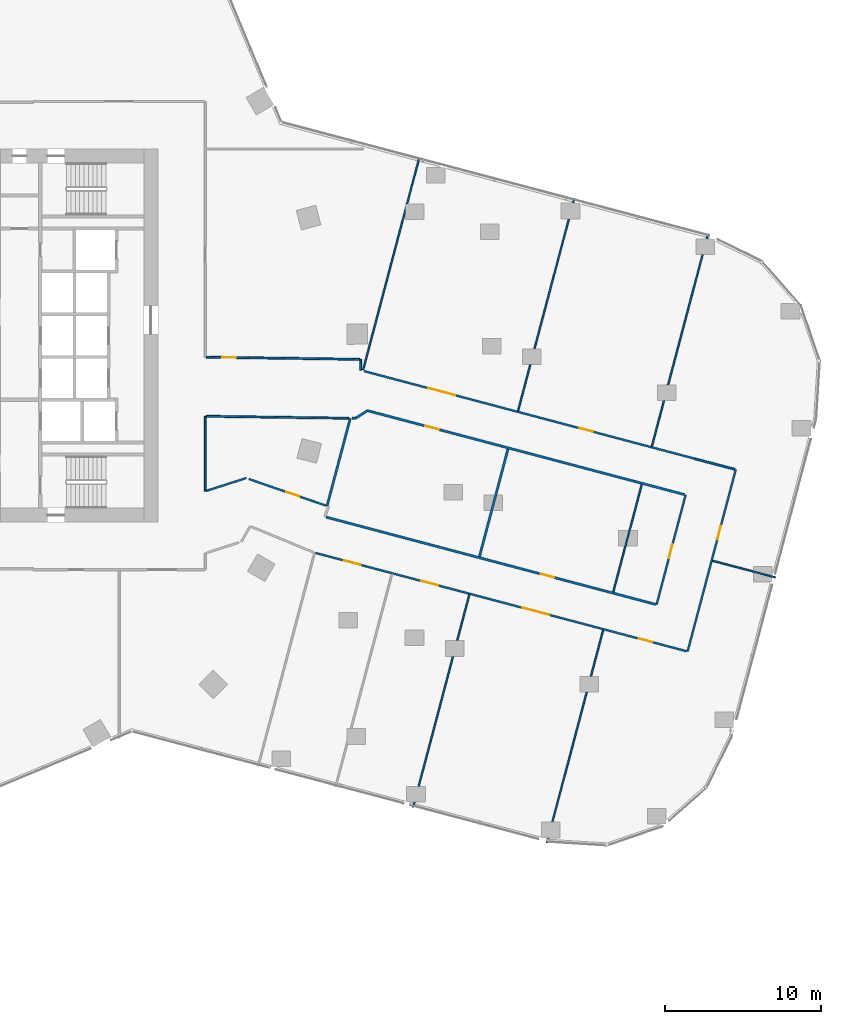
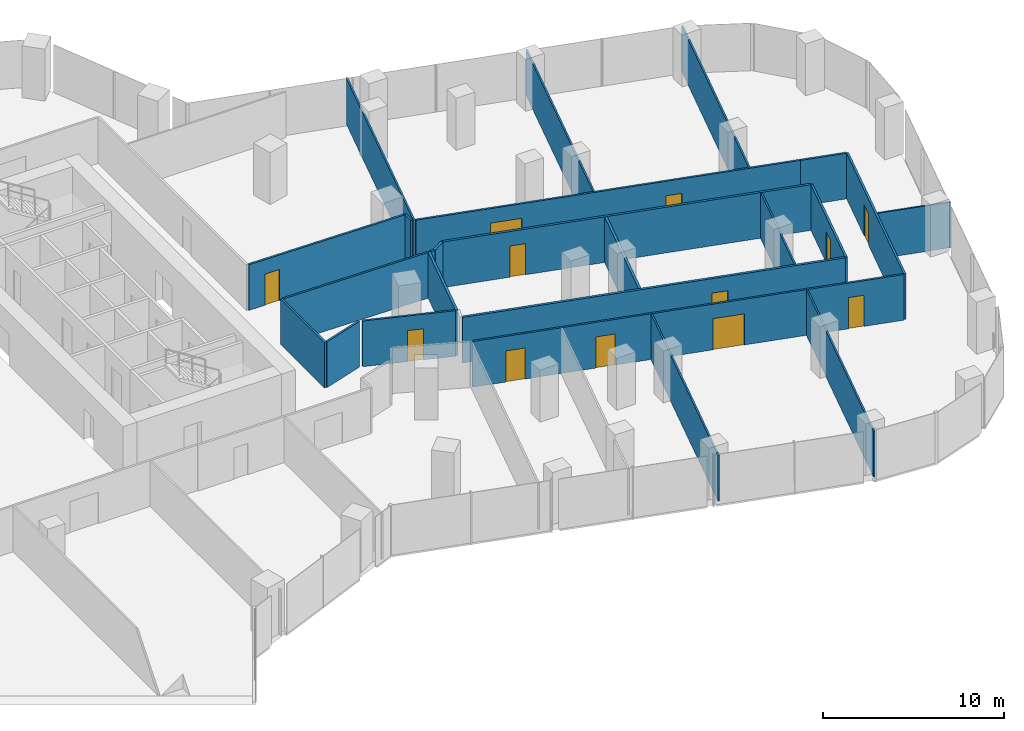
# One storey, part 29 of 34: 24 walls, 12 doors, 12 openings.
"""IFC4 building model written with IfcOpenShell, lengths in metres."""

from ifc_helpers import new_model, si_unit, direction, frame, frame_2d, origin, place, context, subcontext, project, spatial, rectangle, extrude, material, layer, layer_set, type_object, element, fill, save


model = new_model("IFC4")

# Units and contexts
model_context = context("Model", 3, precision=1e-05, world=origin(), true_north=direction((0.0, 1.0)))
body_context = subcontext(model_context, "Body", "Model", "MODEL_VIEW")
ifc_project = project(units=[si_unit("LENGTHUNIT", "METRE"), si_unit("AREAUNIT", "SQUARE_METRE"), si_unit("VOLUMEUNIT", "CUBIC_METRE"), si_unit("PLANEANGLEUNIT", "RADIAN"), si_unit("MASSUNIT", "GRAM", prefix="KILO")], contexts=[model_context])

# Site, building, storey
site_placement = place(None, origin())
site = spatial("IfcSite", under=ifc_project, at=site_placement, CompositionType="ELEMENT")
building_placement = place(site_placement, origin())
building = spatial("IfcBuilding", under=site, at=building_placement, Name="Orlundy Tower", CompositionType="ELEMENT")
storey_placement = place(building_placement, frame((0.0, 0.0, 105.699951171875)))
storey = spatial("IfcBuildingStorey", under=building, at=storey_placement, Name="L26", CompositionType="ELEMENT", Elevation=105.699951171875)

# Walls
ifc_material_1 = material(Name="Gypsum board partition")
ifc_layer_1 = layer(ifc_material_1, 0.10009765625)
ifc_layer_set_1 = layer_set([ifc_layer_1], Name="Floor partition 100")
wall_type_1 = type_object("IfcWallType", Name="Floor partition 100", PredefinedType="PARTITIONING", material=ifc_layer_set_1)
wall_1_placement = place(storey_placement, frame((54.677978515625, -14.47998046875, 0.0), z_axis=(0.0, 0.0, 1.0), x_axis=(0.966677650958, -0.255996717047, 0.0)))
element("IfcWall", 1, at=wall_1_placement, inside=storey, type_object=wall_type_1, Name="wall-int-L26-023", PredefinedType="PARTITIONING", context=body_context, shape_type="SweptSolid", body=[
    extrude(rectangle(XDim=4.187744140625, YDim=0.10009765625, at=frame_2d((2.09375, 0.0))), origin(), (0.0, 0.0, 1.0), 3.080078125),
])
wall_2_placement = place(storey_placement, frame((44.01904296875, -32.60595703125, 0.0), z_axis=(0.0, 0.0, 1.0), x_axis=(0.25603399679, 0.966667777723, 0.0)))
element("IfcWall", 2, at=wall_2_placement, inside=storey, type_object=wall_type_1, Name="wall-int-L26-059", PredefinedType="PARTITIONING", context=body_context, shape_type="SweptSolid", body=[
    extrude(rectangle(XDim=14.13818359375, YDim=0.10009765625, at=frame_2d((7.069091796875, 0.0))), origin(), (0.0, 0.0, 1.0), 3.080078125),
])
wall_3_placement = place(storey_placement, frame((48.2880859375, -16.487060546875, 0.0), z_axis=(0.0, 0.0, 1.0), x_axis=(0.256040833757, 0.966665966841, 0.0)))
element("IfcWall", 3, at=wall_3_placement, inside=storey, type_object=wall_type_1, Name="wall-int-L26-060", PredefinedType="PARTITIONING", context=body_context, shape_type="SweptSolid", body=[
    extrude(rectangle(XDim=7.150390625, YDim=0.10009765625, at=frame_2d((3.5751953125, 0.0))), origin(), (0.0, 0.0, 1.0), 3.080078125),
])
wall_4_placement = place(storey_placement, frame((50.76904296875, -7.1220703125, 0.0), z_axis=(0.0, 0.0, 1.0), x_axis=(0.255986543434, 0.966680345089, 0.0)))
element("IfcWall", 4, at=wall_4_placement, inside=storey, type_object=wall_type_1, Name="wall-int-L26-061", PredefinedType="PARTITIONING", context=body_context, shape_type="SweptSolid", body=[
    extrude(rectangle(XDim=14.136962890625, YDim=0.10009765625, at=frame_2d((7.068359375, 0.0))), origin(), (0.0, 0.0, 1.0), 3.080078125),
])
wall_5_placement = place(storey_placement, frame((35.4169921875, -30.327880859375, 0.0), z_axis=(0.0, 0.0, 1.0), x_axis=(0.255904901066, 0.966701961108, 0.0)))
element("IfcWall", 5, at=wall_5_placement, inside=storey, type_object=wall_type_1, Name="wall-int-L26-062", PredefinedType="PARTITIONING", context=body_context, shape_type="SweptSolid", body=[
    extrude(rectangle(XDim=14.1376953125, YDim=0.10009765625, at=frame_2d((7.06884765625, 0.0))), origin(), (0.0, 0.0, 1.0), 3.080078125),
])
wall_6_placement = place(storey_placement, frame((42.1650390625, -4.843017578125, 0.0), z_axis=(0.0, 0.0, 1.0), x_axis=(0.255986543434, 0.966680345089, 0.0)))
element("IfcWall", 6, at=wall_6_placement, inside=storey, type_object=wall_type_1, Name="wall-int-L26-064", PredefinedType="PARTITIONING", context=body_context, shape_type="SweptSolid", body=[
    extrude(rectangle(XDim=14.136962890625, YDim=0.10009765625, at=frame_2d((7.068359375, 0.0))), origin(), (0.0, 0.0, 1.0), 3.080078125),
])
wall_7_placement = place(storey_placement, frame((32.201904296875, -2.205078125, 0.0), z_axis=(0.0, 0.0, 1.0), x_axis=(0.256002681219, 0.966676071499, 0.0)))
element("IfcWall", 7, at=wall_7_placement, inside=storey, type_object=wall_type_1, Name="wall-int-L26-068", PredefinedType="PARTITIONING", context=body_context, shape_type="SweptSolid", body=[
    extrude(rectangle(XDim=14.13720703125, YDim=0.10009765625, at=frame_2d((7.068603515625, 0.0))), origin(), (0.0, 0.0, 1.0), 3.080078125),
])

# Wall, opening, door
ifc_material_2 = material(Name="Gypsum board partition, double layer")
ifc_layer_2 = layer(ifc_material_2, 0.125)
ifc_layer_set_2 = layer_set([ifc_layer_2], Name="Floor partition 125")
wall_type_2 = type_object("IfcWallType", Name="Floor partition 125", PredefinedType="PARTITIONING", material=ifc_layer_set_2)
wall_8_placement = place(storey_placement, frame((24.85888671875, -9.22509765625, 0.0), z_axis=(0.0, 0.0, 1.0), x_axis=(0.945256069843, -0.326329530421, 0.0)))
wall_8 = element("IfcWall", 8, at=wall_8_placement, inside=storey, type_object=wall_type_2, Name="wall-int-L26-019", PredefinedType="PARTITIONING", context=body_context, shape_type="SweptSolid", body=[
    extrude(rectangle(XDim=5.239990234375, YDim=0.125, at=frame_2d((2.6201171875, 0.0))), origin(), (0.0, 0.0, 1.0), 3.080078125),
])
opening_1_placement = place(wall_8_placement, frame((2.53271484375, 0.0, 0.0)))
opening_1 = element("IfcOpeningElement", 9, at=opening_1_placement, cuts=wall_8, Name="Opening 21126", PredefinedType="OPENING", context=body_context, shape_type="SweptSolid", body=[
    extrude(rectangle(XDim=0.89990234375, YDim=2.10009765625, at=frame_2d((0.449951171875, 1.050048828125))), frame((0.0, 0.072509765625, 0.0), z_axis=(0.0, -1.0, 0.0), x_axis=(1.0, 0.0, 0.0)), (0.0, 0.0, 1.0), 0.14501953125),
])
ifc_material_3 = material(Name="Timber door leaf", Category="wood")
door_type_1 = type_object("IfcDoorType", Name="Floor door single 900 FD30S", OperationType="NOTDEFINED", PredefinedType="DOOR", material=ifc_material_3)
door_1_placement = place(opening_1_placement, origin())
door_1 = element("IfcDoor", 10, at=door_1_placement, inside=storey, type_object=door_type_1, Name="Door 21126", OperationType="SINGLE_SWING_RIGHT", OverallHeight=2.10009765625, OverallWidth=0.89990234375, PredefinedType="DOOR", context=body_context, shape_type="SweptSolid", body=[
    extrude(rectangle(XDim=0.89990234375, YDim=2.10009765625, at=frame_2d((0.449951171875, 1.050048828125))), frame((0.0, 0.02490234375, 0.0), z_axis=(0.0, -1.0, 0.0), x_axis=(1.0, 0.0, 0.0)), (0.0, 0.0, 1.0), 0.050048828125),
])
fill(opening_1, door_1)

# Wall
wall_9_placement = place(storey_placement, frame((56.10595703125, -8.60009765625, 0.0), z_axis=(0.0, 0.0, 1.0), x_axis=(-0.966610224472, 0.256251193065, 0.0)))
element("IfcWall", 11, at=wall_9_placement, inside=storey, type_object=wall_type_2, Name="wall-int-L26-020", PredefinedType="PARTITIONING", context=body_context, shape_type="SweptSolid", body=[
    extrude(rectangle(XDim=2.63818359375, YDim=0.125, at=frame_2d((1.319091796875, 0.0))), origin(), (0.0, 0.0, 1.0), 3.080078125),
])

# Wall, openings, doors
wall_10_placement = place(storey_placement, frame((53.007080078125, -20.299072265625, 0.0), z_axis=(0.0, 0.0, 1.0), x_axis=(-0.966653562273, 0.256087661835, 0.0)))
wall_10 = element("IfcWall", 12, at=wall_10_placement, inside=storey, type_object=wall_type_2, Name="wall-int-L26-021", PredefinedType="PARTITIONING", context=body_context, shape_type="SweptSolid", body=[
    extrude(rectangle(XDim=24.694580078125, YDim=0.125, at=frame_2d((12.34716796875, 0.0))), origin(), (0.0, 0.0, 1.0), 3.080078125),
])
opening_2_placement = place(wall_10_placement, frame((2.287353515625, 0.0, 0.0)))
opening_2 = element("IfcOpeningElement", 13, at=opening_2_placement, cuts=wall_10, Name="Opening 21106", PredefinedType="OPENING", context=body_context, shape_type="SweptSolid", body=[
    extrude(rectangle(XDim=0.89990234375, YDim=2.10009765625, at=frame_2d((0.449951171875, 1.050048828125))), frame((0.0, 0.072509765625, 0.0), z_axis=(0.0, -1.0, 0.0), x_axis=(1.0, 0.0, 0.0)), (0.0, 0.0, 1.0), 0.14501953125),
])
opening_3_placement = place(wall_10_placement, frame((21.690185546875, 0.0, 0.0)))
opening_3 = element("IfcOpeningElement", 14, at=opening_3_placement, cuts=wall_10, Name="Opening 21107", PredefinedType="OPENING", context=body_context, shape_type="SweptSolid", body=[
    extrude(rectangle(XDim=1.10009765625, YDim=2.10009765625, at=frame_2d((0.550048828125, 1.050048828125))), frame((0.0, 0.072509765625, 0.0), z_axis=(0.0, -1.0, 0.0), x_axis=(1.0, 0.0, 0.0)), (0.0, 0.0, 1.0), 0.14501953125),
])
opening_4_placement = place(wall_10_placement, frame((16.53759765625, 0.0, 0.0)))
opening_4 = element("IfcOpeningElement", 15, at=opening_4_placement, cuts=wall_10, Name="Opening 21108", PredefinedType="OPENING", context=body_context, shape_type="SweptSolid", body=[
    extrude(rectangle(XDim=1.10009765625, YDim=2.10009765625, at=frame_2d((0.550048828125, 1.050048828125))), frame((0.0, 0.072509765625, 0.0), z_axis=(0.0, -1.0, 0.0), x_axis=(1.0, 0.0, 0.0)), (0.0, 0.0, 1.0), 0.14501953125),
])
opening_5_placement = place(wall_10_placement, frame((9.136962890625, 0.0, 0.0)))
opening_5 = element("IfcOpeningElement", 16, at=opening_5_placement, cuts=wall_10, Name="Opening 21109", PredefinedType="OPENING", context=body_context, shape_type="SweptSolid", body=[
    extrude(rectangle(XDim=1.800048828125, YDim=2.10009765625, at=frame_2d((0.89990234375, 1.050048828125))), frame((0.0, 0.072509765625, 0.0), z_axis=(0.0, -1.0, 0.0), x_axis=(1.0, 0.0, 0.0)), (0.0, 0.0, 1.0), 0.14501953125),
])
ifc_material_4 = material(Name="Timber door leaf", Category="wood")
door_type_2 = type_object("IfcDoorType", Name="Floor door double 1800 FD30S", OperationType="NOTDEFINED", PredefinedType="DOOR", material=ifc_material_4)
door_2_placement = place(opening_5_placement, origin())
door_2 = element("IfcDoor", 17, at=door_2_placement, inside=storey, type_object=door_type_2, Name="Door 21109", OperationType="DOUBLE_DOOR_SINGLE_SWING", OverallHeight=2.10009765625, OverallWidth=1.800048828125, PredefinedType="DOOR", context=body_context, shape_type="SweptSolid", body=[
    extrude(rectangle(XDim=1.800048828125, YDim=2.10009765625, at=frame_2d((0.89990234375, 1.050048828125))), frame((0.0, 0.02490234375, 0.0), z_axis=(0.0, -1.0, 0.0), x_axis=(1.0, 0.0, 0.0)), (0.0, 0.0, 1.0), 0.050048828125),
])
fill(opening_5, door_2)
door_3_placement = place(opening_2_placement, origin())
door_3 = element("IfcDoor", 18, at=door_3_placement, inside=storey, type_object=door_type_1, Name="Door 21106", OperationType="SINGLE_SWING_LEFT", OverallHeight=2.10009765625, OverallWidth=0.89990234375, PredefinedType="DOOR", context=body_context, shape_type="SweptSolid", body=[
    extrude(rectangle(XDim=0.89990234375, YDim=2.10009765625, at=frame_2d((0.449951171875, 1.050048828125))), frame((0.0, 0.02490234375, 0.0), z_axis=(0.0, -1.0, 0.0), x_axis=(1.0, 0.0, 0.0)), (0.0, 0.0, 1.0), 0.050048828125),
])
fill(opening_2, door_3)
ifc_material_5 = material(Name="Timber door leaf", Category="wood")
door_type_3 = type_object("IfcDoorType", Name="Floor door xwide 1100 FD30S", OperationType="NOTDEFINED", PredefinedType="DOOR", material=ifc_material_5)
door_4_placement = place(opening_3_placement, origin())
door_4 = element("IfcDoor", 19, at=door_4_placement, inside=storey, type_object=door_type_3, Name="Door 21107", OperationType="SINGLE_SWING_RIGHT", OverallHeight=2.10009765625, OverallWidth=1.10009765625, PredefinedType="DOOR", context=body_context, shape_type="SweptSolid", body=[
    extrude(rectangle(XDim=1.10009765625, YDim=2.10009765625, at=frame_2d((0.550048828125, 1.050048828125))), frame((0.0, 0.02490234375, 0.0), z_axis=(0.0, -1.0, 0.0), x_axis=(1.0, 0.0, 0.0)), (0.0, 0.0, 1.0), 0.050048828125),
])
fill(opening_3, door_4)
door_5_placement = place(opening_4_placement, origin())
door_5 = element("IfcDoor", 20, at=door_5_placement, inside=storey, type_object=door_type_3, Name="Door 21108", OperationType="SINGLE_SWING_RIGHT", OverallHeight=2.10009765625, OverallWidth=1.10009765625, PredefinedType="DOOR", context=body_context, shape_type="SweptSolid", body=[
    extrude(rectangle(XDim=1.10009765625, YDim=2.10009765625, at=frame_2d((0.550048828125, 1.050048828125))), frame((0.0, 0.02490234375, 0.0), z_axis=(0.0, -1.0, 0.0), x_axis=(1.0, 0.0, 0.0)), (0.0, 0.0, 1.0), 0.050048828125),
])
fill(opening_4, door_5)

wall_11_placement = place(storey_placement, frame((32.262939453125, -2.285888671875, 0.0), z_axis=(0.0, 0.0, 1.0), x_axis=(0.966698776393, -0.255916931288, 0.0)))
wall_11 = element("IfcWall", 21, at=wall_11_placement, inside=storey, type_object=wall_type_2, Name="wall-int-L26-025", PredefinedType="PARTITIONING", context=body_context, shape_type="SweptSolid", body=[
    extrude(rectangle(XDim=22.027587890625, YDim=0.125, at=frame_2d((11.013671875, 0.0))), origin(), (0.0, 0.0, 1.0), 3.080078125),
])
opening_6_placement = place(wall_11_placement, frame((4.27001953125, 0.0, 0.0)))
opening_6 = element("IfcOpeningElement", 22, at=opening_6_placement, cuts=wall_11, Name="Opening 21100", PredefinedType="OPENING", context=body_context, shape_type="SweptSolid", body=[
    extrude(rectangle(XDim=1.800048828125, YDim=2.10009765625, at=frame_2d((0.89990234375, 1.050048828125))), frame((0.0, 0.072509765625, 0.0), z_axis=(0.0, -1.0, 0.0), x_axis=(1.0, 0.0, 0.0)), (0.0, 0.0, 1.0), 0.14501953125),
])
opening_7_placement = place(wall_11_placement, frame((14.326171875, 0.0, 0.0)))
opening_7 = element("IfcOpeningElement", 23, at=opening_7_placement, cuts=wall_11, Name="Opening 21101", PredefinedType="OPENING", context=body_context, shape_type="SweptSolid", body=[
    extrude(rectangle(XDim=0.89990234375, YDim=2.10009765625, at=frame_2d((0.449951171875, 1.050048828125))), frame((0.0, 0.072509765625, 0.0), z_axis=(0.0, -1.0, 0.0), x_axis=(1.0, 0.0, 0.0)), (0.0, 0.0, 1.0), 0.14501953125),
])
door_6_placement = place(opening_6_placement, origin())
door_6 = element("IfcDoor", 24, at=door_6_placement, inside=storey, type_object=door_type_2, Name="Door 21100", OperationType="DOUBLE_DOOR_SINGLE_SWING", OverallHeight=2.10009765625, OverallWidth=1.800048828125, PredefinedType="DOOR", context=body_context, shape_type="SweptSolid", body=[
    extrude(rectangle(XDim=1.800048828125, YDim=2.10009765625, at=frame_2d((0.89990234375, 1.050048828125))), frame((0.0, 0.02490234375, 0.0), z_axis=(0.0, -1.0, 0.0), x_axis=(1.0, 0.0, 0.0)), (0.0, 0.0, 1.0), 0.050048828125),
])
fill(opening_6, door_6)
door_7_placement = place(opening_7_placement, origin())
door_7 = element("IfcDoor", 25, at=door_7_placement, inside=storey, type_object=door_type_1, Name="Door 21101", OperationType="SINGLE_SWING_RIGHT", OverallHeight=2.10009765625, OverallWidth=0.89990234375, PredefinedType="DOOR", context=body_context, shape_type="SweptSolid", body=[
    extrude(rectangle(XDim=0.89990234375, YDim=2.10009765625, at=frame_2d((0.449951171875, 1.050048828125))), frame((0.0, 0.02490234375, 0.0), z_axis=(0.0, -1.0, 0.0), x_axis=(1.0, 0.0, 0.0)), (0.0, 0.0, 1.0), 0.050048828125),
])
fill(opening_7, door_7)

# Wall
wall_12_placement = place(storey_placement, frame((22.113037109375, -5.18896484375, 0.0), z_axis=(0.0, 0.0, 1.0), x_axis=(0.99990421927, -0.013840241536, 0.0)))
element("IfcWall", 26, at=wall_12_placement, inside=storey, type_object=wall_type_2, Name="wall-int-L26-029", PredefinedType="PARTITIONING", context=body_context, shape_type="SweptSolid", body=[
    extrude(rectangle(XDim=9.1728515625, YDim=0.125, at=frame_2d((4.58642578125, 0.0))), origin(), (0.0, 0.0, 1.0), 3.080078125),
])

# Wall, opening, door
wall_13_placement = place(storey_placement, frame((22.113037109375, -1.386962890625, 0.0), z_axis=(0.0, 0.0, 1.0), x_axis=(0.999897954627, -0.01428566882, 0.0)))
wall_13 = element("IfcWall", 27, at=wall_13_placement, inside=storey, type_object=wall_type_2, Name="wall-int-L26-030", PredefinedType="PARTITIONING", context=body_context, shape_type="SweptSolid", body=[
    extrude(rectangle(XDim=9.8779296875, YDim=0.125, at=frame_2d((4.93896484375, 0.0))), origin(), (0.0, 0.0, 1.0), 3.080078125),
])
opening_8_placement = place(wall_13_placement, frame((1.03759765625, 0.0, 0.0)))
opening_8 = element("IfcOpeningElement", 28, at=opening_8_placement, cuts=wall_13, Name="Opening 21128", PredefinedType="OPENING", context=body_context, shape_type="SweptSolid", body=[
    extrude(rectangle(XDim=0.89990234375, YDim=2.10009765625, at=frame_2d((0.449951171875, 1.050048828125))), frame((0.0, 0.072509765625, 0.0), z_axis=(0.0, -1.0, 0.0), x_axis=(1.0, 0.0, 0.0)), (0.0, 0.0, 1.0), 0.14501953125),
])
door_8_placement = place(opening_8_placement, origin())
door_8 = element("IfcDoor", 29, at=door_8_placement, inside=storey, type_object=door_type_1, Name="Door 21128", OperationType="SINGLE_SWING_LEFT", OverallHeight=2.10009765625, OverallWidth=0.89990234375, PredefinedType="DOOR", context=body_context, shape_type="SweptSolid", body=[
    extrude(rectangle(XDim=0.89990234375, YDim=2.10009765625, at=frame_2d((0.449951171875, 1.050048828125))), frame((0.0, 0.02490234375, 0.0), z_axis=(0.0, -1.0, 0.0), x_axis=(1.0, 0.0, 0.0)), (0.0, 0.0, 1.0), 0.050048828125),
])
fill(opening_8, door_8)

# Wall
wall_14_placement = place(storey_placement, frame((22.133056640625, -9.98095703125, 0.0), z_axis=(0.0, 0.0, 1.0), x_axis=(0.952218321785, 0.305418184882, 0.0)))
element("IfcWall", 30, at=wall_14_placement, inside=storey, type_object=wall_type_2, Name="wall-int-L26-044", PredefinedType="PARTITIONING", context=body_context, shape_type="SweptSolid", body=[
    extrude(rectangle(XDim=2.674560546875, YDim=0.125, at=frame_2d((1.33740234375, 0.0))), origin(), (0.0, 0.0, 1.0), 3.080078125),
])

# Wall, opening, door
wall_15_placement = place(storey_placement, frame((56.1650390625, -8.615966796875, 0.0), z_axis=(0.0, 0.0, 1.0), x_axis=(-0.255867603739, -0.966711833669, 0.0)))
wall_15 = element("IfcWall", 31, at=wall_15_placement, inside=storey, type_object=wall_type_2, Name="wall-int-L26-057", PredefinedType="PARTITIONING", context=body_context, shape_type="SweptSolid", body=[
    extrude(rectangle(XDim=12.099853515625, YDim=0.125, at=frame_2d((6.0498046875, 0.0))), origin(), (0.0, 0.0, 1.0), 3.080078125),
])
opening_9_placement = place(wall_15_placement, frame((3.75, 0.0, 0.0)))
opening_9 = element("IfcOpeningElement", 32, at=opening_9_placement, cuts=wall_15, Name="Opening 21105", PredefinedType="OPENING", context=body_context, shape_type="SweptSolid", body=[
    extrude(rectangle(XDim=0.89990234375, YDim=2.10009765625, at=frame_2d((0.449951171875, 1.050048828125))), frame((0.0, 0.072509765625, 0.0), z_axis=(0.0, -1.0, 0.0), x_axis=(1.0, 0.0, 0.0)), (0.0, 0.0, 1.0), 0.14501953125),
])
door_9_placement = place(opening_9_placement, origin())
door_9 = element("IfcDoor", 33, at=door_9_placement, inside=storey, type_object=door_type_1, Name="Door 21105", OperationType="SINGLE_SWING_LEFT", OverallHeight=2.10009765625, OverallWidth=0.89990234375, PredefinedType="DOOR", context=body_context, shape_type="SweptSolid", body=[
    extrude(rectangle(XDim=0.89990234375, YDim=2.10009765625, at=frame_2d((0.449951171875, 1.050048828125))), frame((0.0, 0.02490234375, 0.0), z_axis=(0.0, -1.0, 0.0), x_axis=(1.0, 0.0, 0.0)), (0.0, 0.0, 1.0), 0.050048828125),
])
fill(opening_9, door_9)

wall_16_placement = place(storey_placement, frame((51.072021484375, -17.301025390625, 0.0), z_axis=(0.0, 0.0, 1.0), x_axis=(0.256040569916, 0.966666036725, 0.0)))
wall_16 = element("IfcWall", 34, at=wall_16_placement, inside=storey, type_object=wall_type_2, Name="wall-int-L26-058", PredefinedType="PARTITIONING", context=body_context, shape_type="SweptSolid", body=[
    extrude(rectangle(XDim=7.29931640625, YDim=0.125, at=frame_2d((3.649658203125, 0.0))), origin(), (0.0, 0.0, 1.0), 3.080078125),
])
opening_10_placement = place(wall_16_placement, frame((3.10009765625, 0.0, 0.0)))
opening_10 = element("IfcOpeningElement", 35, at=opening_10_placement, cuts=wall_16, Name="Opening 21104", PredefinedType="OPENING", context=body_context, shape_type="SweptSolid", body=[
    extrude(rectangle(XDim=0.89990234375, YDim=2.10009765625, at=frame_2d((0.449951171875, 1.050048828125))), frame((0.0, 0.072509765625, 0.0), z_axis=(0.0, -1.0, 0.0), x_axis=(1.0, 0.0, 0.0)), (0.0, 0.0, 1.0), 0.14501953125),
])
door_10_placement = place(opening_10_placement, origin())
door_10 = element("IfcDoor", 36, at=door_10_placement, inside=storey, type_object=door_type_1, Name="Door 21104", OperationType="SINGLE_SWING_LEFT", OverallHeight=2.10009765625, OverallWidth=0.89990234375, PredefinedType="DOOR", context=body_context, shape_type="SweptSolid", body=[
    extrude(rectangle(XDim=0.89990234375, YDim=2.10009765625, at=frame_2d((0.449951171875, 1.050048828125))), frame((0.0, 0.02490234375, 0.0), z_axis=(0.0, -1.0, 0.0), x_axis=(1.0, 0.0, 0.0)), (0.0, 0.0, 1.0), 0.050048828125),
])
fill(opening_10, door_10)

# Walls
wall_17_placement = place(storey_placement, frame((32.0439453125, -2.22705078125, 0.0), z_axis=(0.0, 0.0, 1.0), x_axis=(0.01290440153, 0.999916734744, 0.0)))
element("IfcWall", 37, at=wall_17_placement, inside=storey, type_object=wall_type_2, Name="wall-int-L26-072", PredefinedType="PARTITIONING", context=body_context, shape_type="SweptSolid", body=[
    extrude(rectangle(XDim=0.699951171875, YDim=0.125, at=frame_2d((0.35009765625, 0.0))), origin(), (0.0, 0.0, 1.0), 3.080078125),
])
wall_18_placement = place(storey_placement, frame((22.051025390625, -10.007080078125, 0.0), z_axis=(0.0, 0.0, 1.0), x_axis=(0.0, 1.0, 0.0)))
element("IfcWall", 38, at=wall_18_placement, inside=storey, type_object=wall_type_2, Name="wall-int-L26-074", PredefinedType="PARTITIONING", context=body_context, shape_type="SweptSolid", body=[
    extrude(rectangle(XDim=4.819091796875, YDim=0.125, at=frame_2d((2.40966796875, 0.0))), origin(), (0.0, 0.0, 1.0), 3.080078125),
])

# Wall, opening, door
ifc_material_6 = material(Name="Blockwork shaft wall", Category="masonry")
ifc_layer_3 = layer(ifc_material_6, 0.14990234375)
ifc_layer_set_3 = layer_set([ifc_layer_3], Name="Floor shaft wall 150")
wall_type_3 = type_object("IfcWallType", Name="Floor shaft wall 150", PredefinedType="PARTITIONING", material=ifc_layer_set_3)
wall_19_placement = place(storey_placement, frame((29.819091796875, -11.672119140625, 0.0), z_axis=(0.0, 0.0, 1.0), x_axis=(0.966680429276, -0.255986225517, 0.0)))
wall_19 = element("IfcWall", 39, at=wall_19_placement, inside=storey, type_object=wall_type_3, Name="wall-int-L26-022", PredefinedType="PARTITIONING", context=body_context, shape_type="SweptSolid", body=[
    extrude(rectangle(XDim=21.92236328125, YDim=0.14990234375, at=frame_2d((10.961181640625, 0.0))), origin(), (0.0, 0.0, 1.0), 3.080078125),
])
opening_11_placement = place(wall_19_placement, frame((14.286865234375, 0.0, 0.0)))
opening_11 = element("IfcOpeningElement", 40, at=opening_11_placement, cuts=wall_19, Name="Opening 21103", PredefinedType="OPENING", context=body_context, shape_type="SweptSolid", body=[
    extrude(rectangle(XDim=0.89990234375, YDim=2.10009765625, at=frame_2d((0.449951171875, 1.050048828125))), frame((0.0, 0.0849609375, 0.0), z_axis=(0.0, -1.0, 0.0), x_axis=(1.0, 0.0, 0.0)), (0.0, 0.0, 1.0), 0.169921875),
])
ifc_material_7 = material(Name="Timber door leaf", Category="wood")
door_type_4 = type_object("IfcDoorType", Name="Floor door single 900 FD60", OperationType="NOTDEFINED", PredefinedType="DOOR", material=ifc_material_7)
door_11_placement = place(opening_11_placement, origin())
door_11 = element("IfcDoor", 41, at=door_11_placement, inside=storey, type_object=door_type_4, Name="Door 21103", OperationType="SINGLE_SWING_RIGHT", OverallHeight=2.10009765625, OverallWidth=0.89990234375, PredefinedType="DOOR", context=body_context, shape_type="SweptSolid", body=[
    extrude(rectangle(XDim=0.89990234375, YDim=2.10009765625, at=frame_2d((0.449951171875, 1.050048828125))), frame((0.0, 0.02490234375, 0.0), z_axis=(0.0, -1.0, 0.0), x_axis=(1.0, 0.0, 0.0)), (0.0, 0.0, 1.0), 0.050048828125),
])
fill(opening_11, door_11)

wall_20_placement = place(storey_placement, frame((52.881103515625, -10.22802734375, 0.0), z_axis=(0.0, 0.0, 1.0), x_axis=(-0.966683420864, 0.255974928122, 0.0)))
wall_20 = element("IfcWall", 42, at=wall_20_placement, inside=storey, type_object=wall_type_3, Name="wall-int-L26-024", PredefinedType="PARTITIONING", context=body_context, shape_type="SweptSolid", body=[
    extrude(rectangle(XDim=21.10009765625, YDim=0.14990234375, at=frame_2d((10.550048828125, 0.0))), origin(), (0.0, 0.0, 1.0), 3.080078125),
])
opening_12_placement = place(wall_20_placement, frame((16.3369140625, 0.0, 0.0)))
opening_12 = element("IfcOpeningElement", 43, at=opening_12_placement, cuts=wall_20, Name="Opening 21102", PredefinedType="OPENING", context=body_context, shape_type="SweptSolid", body=[
    extrude(rectangle(XDim=0.89990234375, YDim=2.10009765625, at=frame_2d((0.449951171875, 1.050048828125))), frame((0.0, 0.0849609375, 0.0), z_axis=(0.0, -1.0, 0.0), x_axis=(1.0, 0.0, 0.0)), (0.0, 0.0, 1.0), 0.169921875),
])
door_12_placement = place(opening_12_placement, origin())
door_12 = element("IfcDoor", 44, at=door_12_placement, inside=storey, type_object=door_type_4, Name="Door 21102", OperationType="SINGLE_SWING_RIGHT", OverallHeight=2.10009765625, OverallWidth=0.89990234375, PredefinedType="DOOR", context=body_context, shape_type="SweptSolid", body=[
    extrude(rectangle(XDim=0.89990234375, YDim=2.10009765625, at=frame_2d((0.449951171875, 1.050048828125))), frame((0.0, 0.02490234375, 0.0), z_axis=(0.0, -1.0, 0.0), x_axis=(1.0, 0.0, 0.0)), (0.0, 0.0, 1.0), 0.050048828125),
])
fill(opening_12, door_12)

# Walls
wall_21_placement = place(storey_placement, frame((31.472900390625, -5.320068359375, 0.0), z_axis=(0.0, 0.0, 1.0), x_axis=(0.999857302277, -0.016893048402, 0.0)))
element("IfcWall", 45, at=wall_21_placement, inside=storey, type_object=wall_type_3, Name="wall-int-L26-028", PredefinedType="PARTITIONING", context=body_context, shape_type="SweptSolid", body=[
    extrude(rectangle(XDim=0.231201171875, YDim=0.14990234375, at=frame_2d((0.11572265625, 0.0))), origin(), (0.0, 0.0, 1.0), 3.080078125),
])
wall_22_placement = place(storey_placement, frame((39.68505859375, -14.2080078125, 0.0), z_axis=(0.0, 0.0, 1.0), x_axis=(0.256072738338, 0.966657515711, 0.0)))
element("IfcWall", 46, at=wall_22_placement, inside=storey, type_object=wall_type_3, Name="wall-int-L26-063", PredefinedType="PARTITIONING", context=body_context, shape_type="SweptSolid", body=[
    extrude(rectangle(XDim=7.150634765625, YDim=0.14990234375, at=frame_2d((3.5751953125, 0.0))), origin(), (0.0, 0.0, 1.0), 3.080078125),
])
wall_23_placement = place(storey_placement, frame((29.883056640625, -10.9599609375, 0.0), z_axis=(0.0, 0.0, 1.0), x_axis=(0.256008704633, 0.966674476311, 0.0)))
element("IfcWall", 47, at=wall_23_placement, inside=storey, type_object=wall_type_3, Name="wall-int-L26-067", PredefinedType="PARTITIONING", context=body_context, shape_type="SweptSolid", body=[
    extrude(rectangle(XDim=5.83544921875, YDim=0.14990234375, at=frame_2d((2.917724609375, 0.0))), origin(), (0.0, 0.0, 1.0), 3.080078125),
])
wall_24_placement = place(storey_placement, frame((31.705078125, -5.322998046875, 0.0), z_axis=(0.0, 0.0, 1.0), x_axis=(0.84342189249, 0.537251813649, 0.0)))
element("IfcWall", 48, at=wall_24_placement, inside=storey, type_object=wall_type_3, Name="wall-int-L26-071", PredefinedType="PARTITIONING", context=body_context, shape_type="SweptSolid", body=[
    extrude(rectangle(XDim=0.92333984375, YDim=0.14990234375, at=frame_2d((0.461669921875, 0.0))), origin(), (0.0, 0.0, 1.0), 3.080078125),
])

save(model, "model.ifc")
